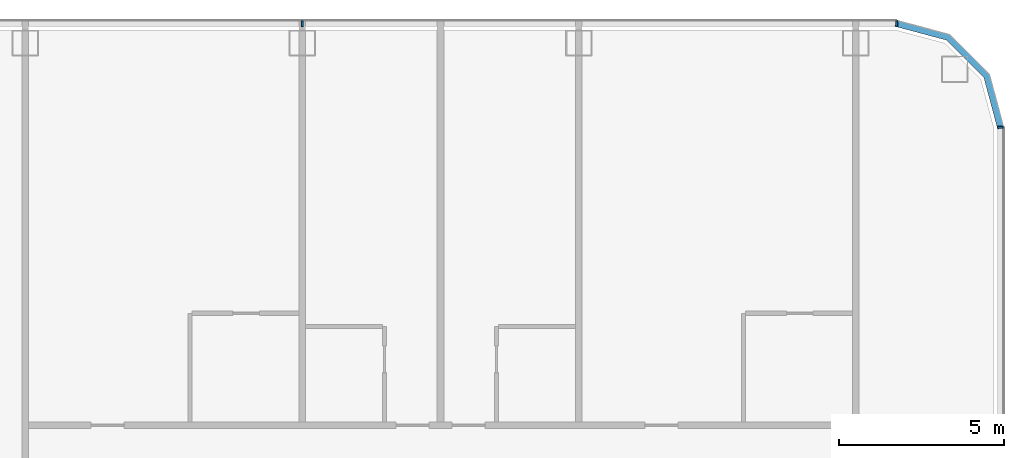
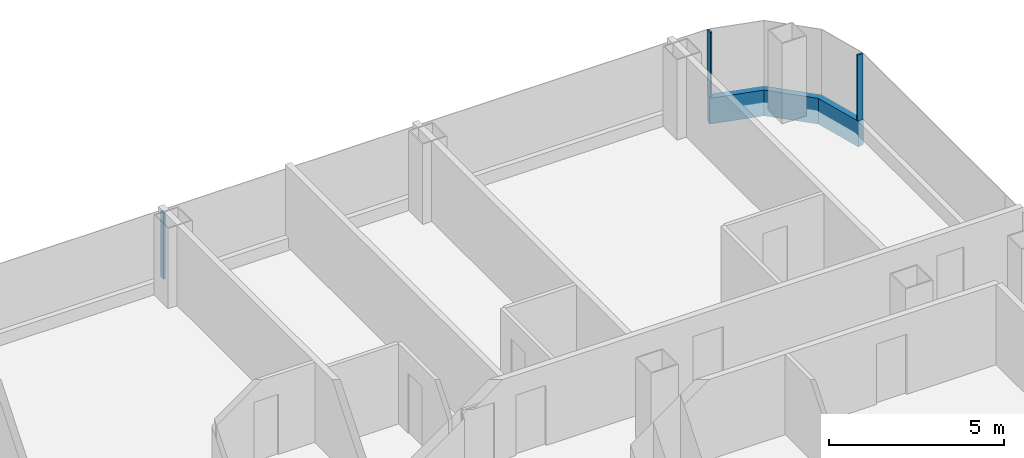
# One storey, part 13 of 29: 4 members, 3 elements without a shape of their own.
"""IFC4 building model written with IfcOpenShell, lengths in metres."""

import ifcopenshell
import ifcopenshell.guid

model = None  # the IFC model being written
_history = None  # IfcOwnerHistory: only IFC2X3 demands one
_inside = {}  # id of a spatial element -> (the spatial element, [elements in it])
_under = {}  # id of a project, library or spatial element -> (it, [spatial elements below it])
_declared = {}  # id of a project -> (the project, [libraries it declares])
_typed = {}  # id of a type object -> (the type object, [elements of that type])
_made_of = {}  # id of a material, layer set ... -> (it, [elements and type objects made of it])


def new_model(schema):
    """Start an empty IFC model of exactly this schema.

    Asked for "IFC4X3", IfcOpenShell would pick the latest addendum, in which some entities
    have other attributes; the version numbers below select the first issue.
    IFC2X3 requires an IfcOwnerHistory on every rooted entity: one is made here for all.
    """
    global model, _history
    if schema == "IFC4X3":
        model = ifcopenshell.file(schema_version=(4, 3, 0, 0))
    else:
        model = ifcopenshell.file(schema=schema)
    _inside.clear()
    _under.clear()
    _declared.clear()
    _typed.clear()
    _made_of.clear()
    _history = None
    if model.schema == "IFC2X3":
        org = make("IfcOrganization", Name="unknown")
        user = make(
            "IfcPersonAndOrganization",
            ThePerson=make("IfcPerson", FamilyName="unknown"),
            TheOrganization=org,
        )
        app = make(
            "IfcApplication",
            ApplicationDeveloper=org,
            Version="unknown",
            ApplicationFullName="unknown",
            ApplicationIdentifier="unknown",
        )
        _history = make(
            "IfcOwnerHistory",
            OwningUser=user,
            OwningApplication=app,
            ChangeAction="ADDED",
            CreationDate=0,
        )
    return model


def make(cls, **values):
    """One entity of the class cls with the attributes given. An attribute that is None is left unset."""
    return model.create_entity(
        cls, **{name: value for name, value in values.items() if value is not None}
    )


def rooted(cls, **values):
    """An entity with a GlobalId (a new one), such as an element, a storey or a relation."""
    return make(cls, GlobalId=ifcopenshell.guid.new(), OwnerHistory=_history, **values)


def si_unit(unit_type, name, prefix=None):
    """IfcSIUnit, for example si_unit("LENGTHUNIT", "METRE", prefix="MILLI")."""
    return make("IfcSIUnit", UnitType=unit_type, Prefix=prefix, Name=name)


def assignment(units):
    """IfcUnitAssignment: the units of a project."""
    return None if units is None else make("IfcUnitAssignment", Units=units)


def point(xyz):
    """IfcCartesianPoint."""
    return None if xyz is None else make("IfcCartesianPoint", Coordinates=xyz)


def direction(xyz):
    """IfcDirection."""
    return None if xyz is None else make("IfcDirection", DirectionRatios=xyz)


def frame(location, z_axis=None, x_axis=None):
    """IfcAxis2Placement3D, a coordinate frame: its origin and axes. An axis left out is left unset."""
    return make(
        "IfcAxis2Placement3D",
        Location=point(location),
        Axis=direction(z_axis),
        RefDirection=direction(x_axis),
    )


def frame_2d(location, x_axis=None):
    """IfcAxis2Placement2D, a coordinate frame in the plane: its origin and x axis."""
    return make(
        "IfcAxis2Placement2D", Location=point(location), RefDirection=direction(x_axis)
    )


def origin():
    """The frame at (0, 0, 0) with its axes left unset."""
    return frame((0.0, 0.0, 0.0))


def origin_2d():
    """The frame at (0, 0) in the plane with its x axis left unset."""
    return frame_2d((0.0, 0.0))


def place(relative_to, where):
    """IfcLocalPlacement: puts the frame where relative to a parent placement (None: the world)."""
    return make(
        "IfcLocalPlacement", PlacementRelTo=relative_to, RelativePlacement=where
    )


def context(
    kind, dimensions, precision=None, world=None, true_north=None, identifier=None
):
    """IfcGeometricRepresentationContext, for example the 3D "Model" context."""
    return make(
        "IfcGeometricRepresentationContext",
        ContextIdentifier=identifier,
        ContextType=kind,
        CoordinateSpaceDimension=dimensions,
        Precision=precision,
        WorldCoordinateSystem=world,
        TrueNorth=true_north,
    )


def subcontext(parent, identifier, kind, view, scale=None):
    """IfcGeometricRepresentationSubContext, for example "Body" below "Model"."""
    return make(
        "IfcGeometricRepresentationSubContext",
        ContextIdentifier=identifier,
        ContextType=kind,
        ParentContext=parent,
        TargetScale=scale,
        TargetView=view,
    )


def project(units=None, contexts=None):
    """IfcProject with its units and contexts."""
    return rooted(
        "IfcProject",
        Name="project",
        RepresentationContexts=contexts,
        UnitsInContext=assignment(units),
    )


def spatial(cls, under=None, at=None, **own):
    """A site, building, storey or space (cls), placed at a placement, below another one or the project."""
    s = rooted(cls, ObjectPlacement=at, **own)
    if under is not None:
        _under.setdefault(under.id(), (under, []))[1].append(s)
    return s


def polyline(points):
    """IfcPolyline through the points."""
    return make("IfcPolyline", Points=[point(p) for p in points])


def profile(cls, at=None, kind="AREA", **sizes):
    """A parametric profile (cls). Its sizes go by their IFC names, for example OverallWidth=200.0."""
    return make(cls, ProfileType=kind, Position=at, **sizes)


def rectangle(**sizes):
    """IfcRectangleProfileDef."""
    return profile("IfcRectangleProfileDef", **sizes)


def outline(outer, holes=None, kind="AREA"):
    """IfcArbitraryClosedProfileDef: a profile drawn as a closed curve; with holes, ...WithVoids."""
    if holes is None:
        return make("IfcArbitraryClosedProfileDef", ProfileType=kind, OuterCurve=outer)
    return make(
        "IfcArbitraryProfileDefWithVoids",
        ProfileType=kind,
        OuterCurve=outer,
        InnerCurves=holes,
    )


def extrude(swept, where, along, depth):
    """IfcExtrudedAreaSolid: the profile swept, set in the frame where, extruded along a direction by depth."""
    return make(
        "IfcExtrudedAreaSolid",
        SweptArea=swept,
        Position=where,
        ExtrudedDirection=direction(along),
        Depth=depth,
    )


def shape(context_of_items, identifier, shape_type, items):
    """IfcShapeRepresentation: the items that make up one representation, for example the "Body"."""
    return make(
        "IfcShapeRepresentation",
        ContextOfItems=context_of_items,
        RepresentationIdentifier=identifier,
        RepresentationType=shape_type,
        Items=items,
    )


def material(Name=None, Category=None):
    """IfcMaterial."""
    return make("IfcMaterial", Name=Name, Category=Category)


def layer(
    of_material, thickness, ventilated=None, Name=None, Category=None, Priority=None
):
    """IfcMaterialLayer: one layer of a wall or slab, of a material (None: an air gap)."""
    return make(
        "IfcMaterialLayer",
        Material=of_material,
        LayerThickness=thickness,
        IsVentilated=ventilated,
        Name=Name,
        Category=Category,
        Priority=Priority,
    )


def layer_set(layers, Name=None):
    """IfcMaterialLayerSet."""
    return make("IfcMaterialLayerSet", MaterialLayers=layers, LayerSetName=Name)


def material_profile(
    of_material, cross_section, Name=None, Category=None, Priority=None
):
    """IfcMaterialProfile: a cross section and its material."""
    return make(
        "IfcMaterialProfile",
        Name=Name,
        Material=of_material,
        Profile=cross_section,
        Priority=Priority,
        Category=Category,
    )


def profile_set(profiles, Name=None, composite=None):
    """IfcMaterialProfileSet."""
    return make(
        "IfcMaterialProfileSet",
        Name=Name,
        MaterialProfiles=profiles,
        CompositeProfile=composite,
    )


def made_of(thing, what):
    """Note that an element or type object is made of a material, layer set ...; save() writes the relation."""
    if what is not None:
        _made_of.setdefault(what.id(), (what, []))[1].append(thing)
    return thing


def type_object(cls, material=None, **own):
    """A type object (cls), such as IfcWallType, which elements share."""
    return made_of(rooted(cls, **own), material)


def element(
    cls,
    number,
    at=None,
    inside=None,
    cuts=None,
    type_object=None,
    material=None,
    context=None,
    identifier="Body",
    shape_type=None,
    held_by="IfcProductDefinitionShape",
    body=None,
    shapes=None,
    **own,
):
    """One element of the class cls, such as IfcWall. Its Tag is "e" and its number.

    at: its placement. inside: the storey or other place that contains it. cuts: it is an
    opening in that element (IfcRelVoidsElement). A single representation is given by context,
    identifier, shape_type and body (its items); several are given by shapes. held_by: the class
    of the entity that holds the representations. save() writes the other relations.
    """
    e = rooted(cls, Tag="e%d" % number, ObjectPlacement=at, **own)
    if body is not None:
        shapes = [shape(context, identifier, shape_type, body)]
    if shapes is not None:
        e.Representation = make(held_by, Representations=shapes)
    if inside is not None:
        _inside.setdefault(inside.id(), (inside, []))[1].append(e)
    if cuts is not None:
        rooted(
            "IfcRelVoidsElement", RelatingBuildingElement=cuts, RelatedOpeningElement=e
        )
    if type_object is not None:
        _typed.setdefault(type_object.id(), (type_object, []))[1].append(e)
    return made_of(e, material)


def aggregate(whole, parts):
    """IfcRelAggregates: a whole, such as a stair, and the parts it consists of."""
    return rooted("IfcRelAggregates", RelatingObject=whole, RelatedObjects=parts)


def save(model, path):
    """Write the relations noted so far, then the file.

    IfcRelAggregates (storeys below a building ...), IfcRelContainedInSpatialStructure (elements
    in a storey), IfcRelDefinesByType, IfcRelAssociatesMaterial and IfcRelDeclares: one each for
    every whole, place, type object, material and project.
    """
    for whole, parts in _under.values():
        aggregate(whole, parts)
    for where, things in _inside.values():
        rooted(
            "IfcRelContainedInSpatialStructure",
            RelatedElements=things,
            RelatingStructure=where,
        )
    for kind, things in _typed.values():
        rooted("IfcRelDefinesByType", RelatedObjects=things, RelatingType=kind)
    for what, things in _made_of.values():
        rooted("IfcRelAssociatesMaterial", RelatedObjects=things, RelatingMaterial=what)
    for by, libraries in _declared.values():
        rooted("IfcRelDeclares", RelatingContext=by, RelatedDefinitions=libraries)
    model.write(path)


model = new_model("IFC4")

# Units and contexts
model_context = context("Model", 3, precision=1e-05, world=origin(), true_north=direction((0.0, 1.0)))
body_context = subcontext(model_context, "Body", "Model", "MODEL_VIEW")
ifc_project = project(units=[si_unit("LENGTHUNIT", "METRE"), si_unit("AREAUNIT", "SQUARE_METRE"), si_unit("VOLUMEUNIT", "CUBIC_METRE"), si_unit("PLANEANGLEUNIT", "RADIAN"), si_unit("MASSUNIT", "GRAM", prefix="KILO")], contexts=[model_context])

# Site, building, storey
site_placement = place(None, origin())
site = spatial("IfcSite", under=ifc_project, at=site_placement, CompositionType="ELEMENT")
building_placement = place(site_placement, origin())
building = spatial("IfcBuilding", under=site, at=building_placement, Name="Hakoniwa Tower and Hamabe Station Hall", CompositionType="ELEMENT")
storey_placement = place(building_placement, frame((0.0, 0.0, 113.800048828125)))
storey = spatial("IfcBuildingStorey", under=building, at=storey_placement, Name="L32", CompositionType="ELEMENT", Elevation=113.800048828125)

# Curtain wall, member
ifc_material_1 = material(Name="Dark low-e laminated glass", Category="glass")
ifc_layer = layer(ifc_material_1, 0.199951171875)
ifc_layer_set = layer_set([ifc_layer], Name="CW-1 UNITISED GUEST")
curtain_wall_type = type_object("IfcCurtainWallType", Name="CW-1 UNITISED GUEST", PredefinedType="NOTDEFINED", material=ifc_layer_set)
curtain_wall_1_placement = place(storey_placement, origin())
curtain_wall_1 = element("IfcCurtainWall", 1, at=curtain_wall_1_placement, inside=storey, type_object=curtain_wall_type, Name="CW-1 curtain wall", PredefinedType="NOTDEFINED")
ifc_material_2 = material(Name="Aluminium 6063-T5 black anodised", Category="aluminium")
ifc_material_profile_1 = material_profile(ifc_material_2, rectangle(XDim=0.199951171875, YDim=0.89990234375, at=origin_2d()), Name="CW SLAB-EDGE BAND 900X200")
ifc_profile_set_1 = profile_set([ifc_material_profile_1], Name="Aluminium 6063-T5 black anodised")
member_type_1 = type_object("IfcMemberType", Name="CW SLAB-EDGE BAND 900X200", PredefinedType="USERDEFINED", material=ifc_profile_set_1)
member_1_placement = place(storey_placement, frame((0.0, 0.0, -0.550048828125)))
member_1 = element("IfcMember", 2, at=member_1_placement, type_object=member_type_1, Name="CW-1 transom", ObjectType="TRANSOM", PredefinedType="USERDEFINED", context=body_context, shape_type="SweptSolid", body=[
    extrude(outline(polyline([(46.5, 20.28955078125), (46.067138671875, 21.9052734375), (44.855224609375, 23.116943359375), (43.239501953125, 23.550048828125), (43.187744140625, 23.35693359375), (44.751708984375, 22.937744140625), (45.8876953125, 21.8017578125), (46.306884765625, 20.23779296875), (46.5, 20.28955078125)])), origin(), (0.0, 0.0, 1.0), 0.89990234375),
])
aggregate(curtain_wall_1, [member_1])

curtain_wall_2_placement = place(storey_placement, origin())
curtain_wall_2 = element("IfcCurtainWall", 3, at=curtain_wall_2_placement, inside=storey, type_object=curtain_wall_type, Name="CW-1 curtain wall", PredefinedType="NOTDEFINED")
ifc_material_3 = material(Name="Aluminium 6063-T5 black anodised", Category="aluminium")
ifc_material_profile_2 = material_profile(ifc_material_3, rectangle(XDim=0.06005859375, YDim=0.179931640625, at=origin_2d()), Name="CW-1 MULLION 60X180")
ifc_profile_set_2 = profile_set([ifc_material_profile_2], Name="Aluminium 6063-T5 black anodised")
member_type_2 = type_object("IfcMemberType", Name="CW-1 MULLION 60X180", PredefinedType="MULLION", material=ifc_profile_set_2)
member_2_placement = place(storey_placement, frame((46.382080078125, 20.28955078125, 0.349853515625), z_axis=(0.0, 0.0, 1.0), x_axis=(0.0, 1.0, 0.0)))
member_2 = element("IfcMember", 4, at=member_2_placement, type_object=member_type_2, Name="CW-1 mullion", PredefinedType="MULLION", context=body_context, shape_type="SweptSolid", body=[
    extrude(rectangle(XDim=0.06005859375, YDim=0.179931640625, at=origin_2d()), origin(), (0.0, 0.0, 1.0), 2.300048828125),
])
aggregate(curtain_wall_2, [member_2])

# Curtain wall, members
curtain_wall_3_placement = place(storey_placement, origin())
curtain_wall_3 = element("IfcCurtainWall", 5, at=curtain_wall_3_placement, inside=storey, type_object=curtain_wall_type, Name="CW-1 curtain wall", PredefinedType="NOTDEFINED")
member_3_placement = place(storey_placement, frame((43.239501953125, 23.431884765625, 0.349853515625), z_axis=(0.0, 0.0, 1.0), x_axis=(-1.0, 0.0, 0.0)))
member_3 = element("IfcMember", 6, at=member_3_placement, type_object=member_type_2, Name="CW-1 mullion", PredefinedType="MULLION", context=body_context, shape_type="SweptSolid", body=[
    extrude(rectangle(XDim=0.06005859375, YDim=0.179931640625, at=origin_2d()), origin(), (0.0, 0.0, 1.0), 2.300048828125),
])
member_4_placement = place(storey_placement, frame((25.199951171875, 23.431884765625, 0.349853515625), z_axis=(0.0, 0.0, 1.0), x_axis=(-1.0, 0.0, 0.0)))
member_4 = element("IfcMember", 7, at=member_4_placement, type_object=member_type_2, Name="CW-1 mullion", PredefinedType="MULLION", context=body_context, shape_type="SweptSolid", body=[
    extrude(rectangle(XDim=0.06005859375, YDim=0.179931640625, at=origin_2d()), origin(), (0.0, 0.0, 1.0), 2.300048828125),
])
aggregate(curtain_wall_3, [member_3, member_4])

save(model, "model.ifc")
